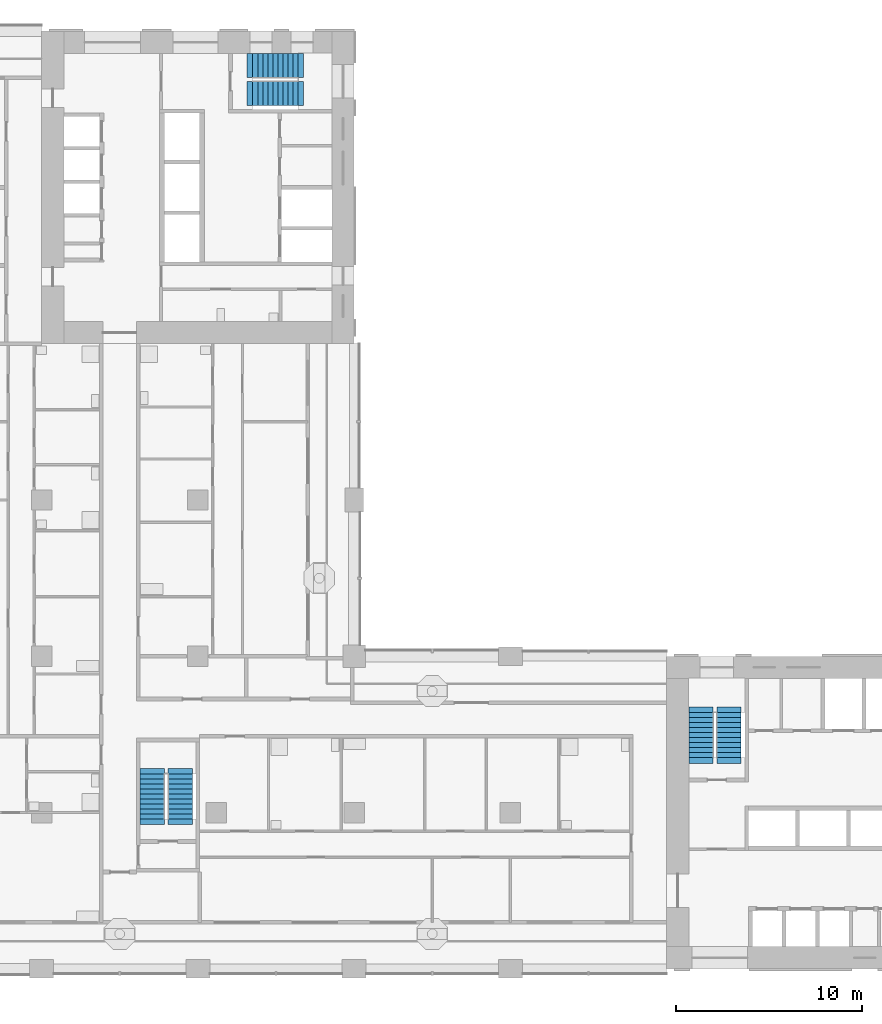
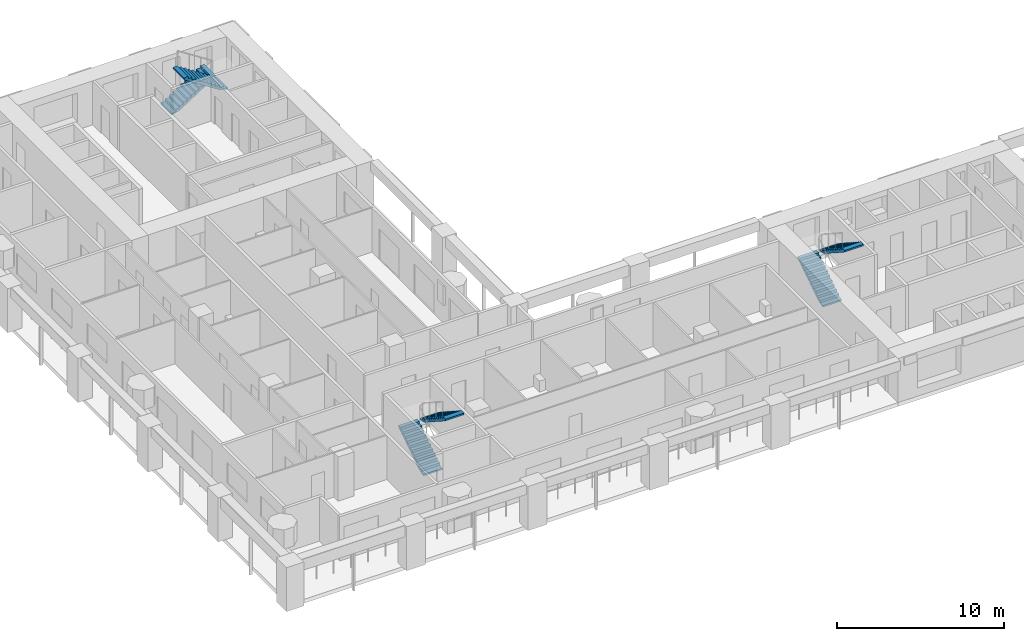
# One storey, part 8 of 18: 6 stair flights, 3 elements without a shape of their own.
"""IFC4 building model written with IfcOpenShell, lengths in metres."""

from ifc_helpers import new_model, si_unit, direction, frame, origin, place, context, subcontext, project, spatial, polyline, outline, extrude, material, type_object, element, aggregate, save


model = new_model("IFC4")

# Units and contexts
model_context = context("Model", 3, precision=1e-05, world=origin(), true_north=direction((0.0, 1.0)))
body_context = subcontext(model_context, "Body", "Model", "MODEL_VIEW")
ifc_project = project(units=[si_unit("LENGTHUNIT", "METRE"), si_unit("AREAUNIT", "SQUARE_METRE"), si_unit("VOLUMEUNIT", "CUBIC_METRE"), si_unit("PLANEANGLEUNIT", "RADIAN"), si_unit("MASSUNIT", "GRAM", prefix="KILO")], contexts=[model_context])

# Site, building, storey
site_placement = place(None, origin())
site = spatial("IfcSite", under=ifc_project, at=site_placement, CompositionType="ELEMENT")
building_placement = place(site_placement, origin())
building = spatial("IfcBuilding", under=site, at=building_placement, Name="Vermilion Gate Residences", CompositionType="ELEMENT")
storey_placement = place(building_placement, frame((0.0, 0.0, 133.699951171875)))
storey = spatial("IfcBuildingStorey", under=building, at=storey_placement, Name="L34", CompositionType="ELEMENT", Elevation=133.699951171875)

# Stair, stair flights
ifc_material_1 = material(Name="Concrete C50", Category="concrete")
stair_type = type_object("IfcStairType", Name="SPECIAL ESCAPE STAIR 1300", PredefinedType="HALF_TURN_STAIR", material=ifc_material_1)
stair_1_placement = place(storey_placement, origin())
stair_1 = element("IfcStair", 1, at=stair_1_placement, inside=storey, type_object=stair_type, Name="Special escape stair STA1-34", PredefinedType="HALF_TURN_STAIR")
ifc_material_2 = material(Name="Concrete C50", Category="concrete")
stair_flight_type = type_object("IfcStairFlightType", Name="STAIR FLIGHT 1300 RC C50", PredefinedType="STRAIGHT", material=ifc_material_2)
stair_flight_1_placement = place(storey_placement, frame((43.85009765625, 19.75, 0.0), z_axis=(0.0, 0.0, 1.0), x_axis=(0.0, 1.0, 0.0)))
stair_flight_1 = element("IfcStairFlight", 2, at=stair_flight_1_placement, type_object=stair_flight_type, Name="STA1-34 flight 1", NumberOfRisers=10, NumberOfTreads=9, PredefinedType="STRAIGHT", RiserHeight=0.175, TreadLength=0.27, context=body_context, shape_type="SweptSolid", body=[
    extrude(outline(polyline([(-0.300048828125, -0.14990234375), (-0.300048828125, -0.030029296875), (0.0, 0.0), (0.0, 0.175048828125), (0.27001953125, 0.175048828125), (0.27001953125, 0.35009765625), (0.5400390625, 0.35009765625), (0.5400390625, 0.52490234375), (0.81005859375, 0.52490234375), (0.81005859375, 0.699951171875), (1.080078125, 0.699951171875), (1.080078125, 0.875), (1.35009765625, 0.875), (1.35009765625, 1.050048828125), (1.6201171875, 1.050048828125), (1.6201171875, 1.22509765625), (1.889892578125, 1.22509765625), (1.889892578125, 1.39990234375), (2.159912109375, 1.39990234375), (2.159912109375, 1.574951171875), (2.429931640625, 1.574951171875), (2.429931640625, 1.75), (2.72998046875, 1.719970703125), (2.72998046875, 1.60009765625), (2.429931640625, 1.396484375), (0.275634765625, 0.0), (-0.300048828125, -0.14990234375)])), frame((0.0, 0.64990234375, 0.0), z_axis=(0.0, -1.0, 0.0), x_axis=(1.0, 0.0, 0.0)), (0.0, 0.0, 1.0), 1.300048828125),
])
stair_flight_2_placement = place(storey_placement, frame((45.35009765625, 22.179931640625, 1.75), z_axis=(0.0, 0.0, 1.0), x_axis=(0.0, -1.0, 0.0)))
stair_flight_2 = element("IfcStairFlight", 3, at=stair_flight_2_placement, type_object=stair_flight_type, Name="STA1-34 flight 2", NumberOfRisers=10, NumberOfTreads=9, PredefinedType="STRAIGHT", RiserHeight=0.175, TreadLength=0.27, context=body_context, shape_type="SweptSolid", body=[
    extrude(outline(polyline([(-0.300048828125, -0.14990234375), (-0.300048828125, -0.030029296875), (0.0, 0.0), (0.0, 0.175048828125), (0.27001953125, 0.175048828125), (0.27001953125, 0.35009765625), (0.5400390625, 0.35009765625), (0.5400390625, 0.52490234375), (0.81005859375, 0.52490234375), (0.81005859375, 0.699951171875), (1.080078125, 0.699951171875), (1.080078125, 0.875), (1.35009765625, 0.875), (1.35009765625, 1.050048828125), (1.6201171875, 1.050048828125), (1.6201171875, 1.22509765625), (1.889892578125, 1.22509765625), (1.889892578125, 1.39990234375), (2.159912109375, 1.39990234375), (2.159912109375, 1.574951171875), (2.429931640625, 1.574951171875), (2.429931640625, 1.75), (2.72998046875, 1.719970703125), (2.72998046875, 1.60009765625), (2.429931640625, 1.396484375), (0.275634765625, 0.0), (-0.300048828125, -0.14990234375)])), frame((0.0, 0.64990234375, 0.0), z_axis=(0.0, -1.0, 0.0), x_axis=(1.0, 0.0, 0.0)), (0.0, 0.0, 1.0), 1.300048828125),
])
aggregate(stair_1, [stair_flight_1, stair_flight_2])

stair_2_placement = place(storey_placement, origin())
stair_2 = element("IfcStair", 4, at=stair_2_placement, inside=storey, type_object=stair_type, Name="Special escape stair STB1-34", PredefinedType="HALF_TURN_STAIR")
stair_flight_3_placement = place(storey_placement, frame((19.75, 56.949951171875, 0.0), z_axis=(0.0, 0.0, 1.0), x_axis=(1.0, 0.0, 0.0)))
stair_flight_3 = element("IfcStairFlight", 5, at=stair_flight_3_placement, type_object=stair_flight_type, Name="STB1-34 flight 1", NumberOfRisers=10, NumberOfTreads=9, PredefinedType="STRAIGHT", RiserHeight=0.175, TreadLength=0.27, context=body_context, shape_type="SweptSolid", body=[
    extrude(outline(polyline([(-0.300048828125, -0.14990234375), (-0.300048828125, -0.030029296875), (0.0, 0.0), (0.0, 0.175048828125), (0.27001953125, 0.175048828125), (0.27001953125, 0.35009765625), (0.5400390625, 0.35009765625), (0.5400390625, 0.52490234375), (0.81005859375, 0.52490234375), (0.81005859375, 0.699951171875), (1.080078125, 0.699951171875), (1.080078125, 0.875), (1.35009765625, 0.875), (1.35009765625, 1.050048828125), (1.6201171875, 1.050048828125), (1.6201171875, 1.22509765625), (1.889892578125, 1.22509765625), (1.889892578125, 1.39990234375), (2.159912109375, 1.39990234375), (2.159912109375, 1.574951171875), (2.429931640625, 1.574951171875), (2.429931640625, 1.75), (2.72998046875, 1.719970703125), (2.72998046875, 1.60009765625), (2.429931640625, 1.396484375), (0.275634765625, 0.0), (-0.300048828125, -0.14990234375)])), frame((0.0, 0.64990234375, 0.0), z_axis=(0.0, -1.0, 0.0), x_axis=(1.0, 0.0, 0.0)), (0.0, 0.0, 1.0), 1.300048828125),
])
stair_flight_4_placement = place(storey_placement, frame((22.179931640625, 55.449951171875, 1.75), z_axis=(0.0, 0.0, 1.0), x_axis=(-1.0, 0.0, 0.0)))
stair_flight_4 = element("IfcStairFlight", 6, at=stair_flight_4_placement, type_object=stair_flight_type, Name="STB1-34 flight 2", NumberOfRisers=10, NumberOfTreads=9, PredefinedType="STRAIGHT", RiserHeight=0.175, TreadLength=0.27, context=body_context, shape_type="SweptSolid", body=[
    extrude(outline(polyline([(-0.300048828125, -0.14990234375), (-0.300048828125, -0.030029296875), (0.0, 0.0), (0.0, 0.175048828125), (0.27001953125, 0.175048828125), (0.27001953125, 0.35009765625), (0.5400390625, 0.35009765625), (0.5400390625, 0.52490234375), (0.81005859375, 0.52490234375), (0.81005859375, 0.699951171875), (1.080078125, 0.699951171875), (1.080078125, 0.875), (1.35009765625, 0.875), (1.35009765625, 1.050048828125), (1.6201171875, 1.050048828125), (1.6201171875, 1.22509765625), (1.889892578125, 1.22509765625), (1.889892578125, 1.39990234375), (2.159912109375, 1.39990234375), (2.159912109375, 1.574951171875), (2.429931640625, 1.574951171875), (2.429931640625, 1.75), (2.72998046875, 1.719970703125), (2.72998046875, 1.60009765625), (2.429931640625, 1.396484375), (0.275634765625, 0.0), (-0.300048828125, -0.14990234375)])), frame((0.0, 0.64990234375, 0.0), z_axis=(0.0, -1.0, 0.0), x_axis=(1.0, 0.0, 0.0)), (0.0, 0.0, 1.0), 1.300048828125),
])
aggregate(stair_2, [stair_flight_3, stair_flight_4])

stair_3_placement = place(storey_placement, origin())
stair_3 = element("IfcStair", 7, at=stair_3_placement, inside=storey, type_object=stair_type, Name="Special escape stair STC1-34", PredefinedType="HALF_TURN_STAIR")
stair_flight_5_placement = place(storey_placement, frame((14.35009765625, 16.449951171875, 0.0), z_axis=(0.0, 0.0, 1.0), x_axis=(0.0, 1.0, 0.0)))
stair_flight_5 = element("IfcStairFlight", 8, at=stair_flight_5_placement, type_object=stair_flight_type, Name="STC1-34 flight 1", NumberOfRisers=10, NumberOfTreads=9, PredefinedType="STRAIGHT", RiserHeight=0.175, TreadLength=0.27, context=body_context, shape_type="SweptSolid", body=[
    extrude(outline(polyline([(-0.300048828125, -0.14990234375), (-0.300048828125, -0.030029296875), (0.0, 0.0), (0.0, 0.175048828125), (0.27001953125, 0.175048828125), (0.27001953125, 0.35009765625), (0.5400390625, 0.35009765625), (0.5400390625, 0.52490234375), (0.81005859375, 0.52490234375), (0.81005859375, 0.699951171875), (1.080078125, 0.699951171875), (1.080078125, 0.875), (1.35009765625, 0.875), (1.35009765625, 1.050048828125), (1.6201171875, 1.050048828125), (1.6201171875, 1.22509765625), (1.889892578125, 1.22509765625), (1.889892578125, 1.39990234375), (2.159912109375, 1.39990234375), (2.159912109375, 1.574951171875), (2.429931640625, 1.574951171875), (2.429931640625, 1.75), (2.72998046875, 1.719970703125), (2.72998046875, 1.60009765625), (2.429931640625, 1.396484375), (0.275634765625, 0.0), (-0.300048828125, -0.14990234375)])), frame((0.0, 0.64990234375, 0.0), z_axis=(0.0, -1.0, 0.0), x_axis=(1.0, 0.0, 0.0)), (0.0, 0.0, 1.0), 1.300048828125),
])
stair_flight_6_placement = place(storey_placement, frame((15.85009765625, 18.8798828125, 1.75), z_axis=(0.0, 0.0, 1.0), x_axis=(0.0, -1.0, 0.0)))
stair_flight_6 = element("IfcStairFlight", 9, at=stair_flight_6_placement, type_object=stair_flight_type, Name="STC1-34 flight 2", NumberOfRisers=10, NumberOfTreads=9, PredefinedType="STRAIGHT", RiserHeight=0.175, TreadLength=0.27, context=body_context, shape_type="SweptSolid", body=[
    extrude(outline(polyline([(-0.300048828125, -0.14990234375), (-0.300048828125, -0.030029296875), (0.0, 0.0), (0.0, 0.175048828125), (0.27001953125, 0.175048828125), (0.27001953125, 0.35009765625), (0.5400390625, 0.35009765625), (0.5400390625, 0.52490234375), (0.81005859375, 0.52490234375), (0.81005859375, 0.699951171875), (1.080078125, 0.699951171875), (1.080078125, 0.875), (1.35009765625, 0.875), (1.35009765625, 1.050048828125), (1.6201171875, 1.050048828125), (1.6201171875, 1.22509765625), (1.889892578125, 1.22509765625), (1.889892578125, 1.39990234375), (2.159912109375, 1.39990234375), (2.159912109375, 1.574951171875), (2.429931640625, 1.574951171875), (2.429931640625, 1.75), (2.72998046875, 1.719970703125), (2.72998046875, 1.60009765625), (2.429931640625, 1.396484375), (0.275634765625, 0.0), (-0.300048828125, -0.14990234375)])), frame((0.0, 0.64990234375, 0.0), z_axis=(0.0, -1.0, 0.0), x_axis=(1.0, 0.0, 0.0)), (0.0, 0.0, 1.0), 1.300048828125),
])
aggregate(stair_3, [stair_flight_5, stair_flight_6])

save(model, "model.ifc")
